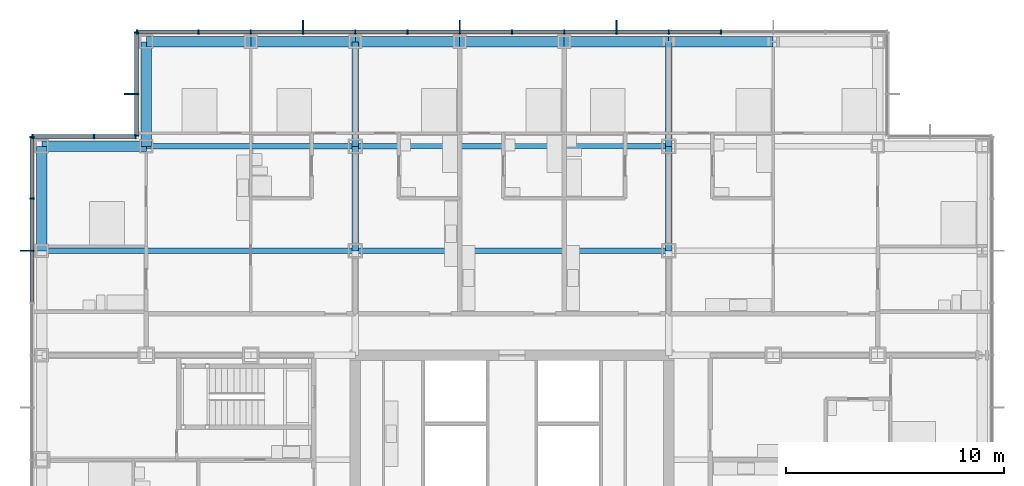
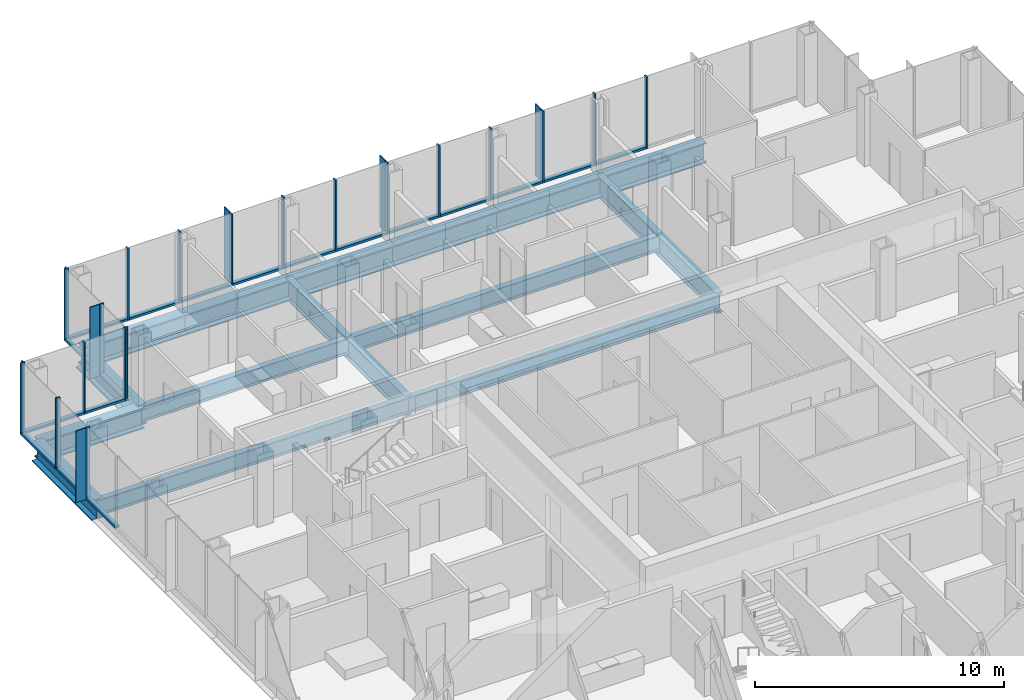
# One storey, part 10 of 21: 44 members, 17 beams, 4 elements without a shape of their own.
"""IFC4 building model written with IfcOpenShell, lengths in metres."""

import ifcopenshell
import ifcopenshell.guid

model = None  # the IFC model being written
_history = None  # IfcOwnerHistory: only IFC2X3 demands one
_inside = {}  # id of a spatial element -> (the spatial element, [elements in it])
_under = {}  # id of a project, library or spatial element -> (it, [spatial elements below it])
_declared = {}  # id of a project -> (the project, [libraries it declares])
_typed = {}  # id of a type object -> (the type object, [elements of that type])
_made_of = {}  # id of a material, layer set ... -> (it, [elements and type objects made of it])


def new_model(schema):
    """Start an empty IFC model of exactly this schema.

    Asked for "IFC4X3", IfcOpenShell would pick the latest addendum, in which some entities
    have other attributes; the version numbers below select the first issue.
    IFC2X3 requires an IfcOwnerHistory on every rooted entity: one is made here for all.
    """
    global model, _history
    if schema == "IFC4X3":
        model = ifcopenshell.file(schema_version=(4, 3, 0, 0))
    else:
        model = ifcopenshell.file(schema=schema)
    _inside.clear()
    _under.clear()
    _declared.clear()
    _typed.clear()
    _made_of.clear()
    _history = None
    if model.schema == "IFC2X3":
        org = make("IfcOrganization", Name="unknown")
        user = make(
            "IfcPersonAndOrganization",
            ThePerson=make("IfcPerson", FamilyName="unknown"),
            TheOrganization=org,
        )
        app = make(
            "IfcApplication",
            ApplicationDeveloper=org,
            Version="unknown",
            ApplicationFullName="unknown",
            ApplicationIdentifier="unknown",
        )
        _history = make(
            "IfcOwnerHistory",
            OwningUser=user,
            OwningApplication=app,
            ChangeAction="ADDED",
            CreationDate=0,
        )
    return model


def make(cls, **values):
    """One entity of the class cls with the attributes given. An attribute that is None is left unset."""
    return model.create_entity(
        cls, **{name: value for name, value in values.items() if value is not None}
    )


def rooted(cls, **values):
    """An entity with a GlobalId (a new one), such as an element, a storey or a relation."""
    return make(cls, GlobalId=ifcopenshell.guid.new(), OwnerHistory=_history, **values)


def si_unit(unit_type, name, prefix=None):
    """IfcSIUnit, for example si_unit("LENGTHUNIT", "METRE", prefix="MILLI")."""
    return make("IfcSIUnit", UnitType=unit_type, Prefix=prefix, Name=name)


def assignment(units):
    """IfcUnitAssignment: the units of a project."""
    return None if units is None else make("IfcUnitAssignment", Units=units)


def point(xyz):
    """IfcCartesianPoint."""
    return None if xyz is None else make("IfcCartesianPoint", Coordinates=xyz)


def direction(xyz):
    """IfcDirection."""
    return None if xyz is None else make("IfcDirection", DirectionRatios=xyz)


def frame(location, z_axis=None, x_axis=None):
    """IfcAxis2Placement3D, a coordinate frame: its origin and axes. An axis left out is left unset."""
    return make(
        "IfcAxis2Placement3D",
        Location=point(location),
        Axis=direction(z_axis),
        RefDirection=direction(x_axis),
    )


def frame_2d(location, x_axis=None):
    """IfcAxis2Placement2D, a coordinate frame in the plane: its origin and x axis."""
    return make(
        "IfcAxis2Placement2D", Location=point(location), RefDirection=direction(x_axis)
    )


def origin():
    """The frame at (0, 0, 0) with its axes left unset."""
    return frame((0.0, 0.0, 0.0))


def origin_2d():
    """The frame at (0, 0) in the plane with its x axis left unset."""
    return frame_2d((0.0, 0.0))


def place(relative_to, where):
    """IfcLocalPlacement: puts the frame where relative to a parent placement (None: the world)."""
    return make(
        "IfcLocalPlacement", PlacementRelTo=relative_to, RelativePlacement=where
    )


def context(
    kind, dimensions, precision=None, world=None, true_north=None, identifier=None
):
    """IfcGeometricRepresentationContext, for example the 3D "Model" context."""
    return make(
        "IfcGeometricRepresentationContext",
        ContextIdentifier=identifier,
        ContextType=kind,
        CoordinateSpaceDimension=dimensions,
        Precision=precision,
        WorldCoordinateSystem=world,
        TrueNorth=true_north,
    )


def subcontext(parent, identifier, kind, view, scale=None):
    """IfcGeometricRepresentationSubContext, for example "Body" below "Model"."""
    return make(
        "IfcGeometricRepresentationSubContext",
        ContextIdentifier=identifier,
        ContextType=kind,
        ParentContext=parent,
        TargetScale=scale,
        TargetView=view,
    )


def project(units=None, contexts=None):
    """IfcProject with its units and contexts."""
    return rooted(
        "IfcProject",
        Name="project",
        RepresentationContexts=contexts,
        UnitsInContext=assignment(units),
    )


def spatial(cls, under=None, at=None, **own):
    """A site, building, storey or space (cls), placed at a placement, below another one or the project."""
    s = rooted(cls, ObjectPlacement=at, **own)
    if under is not None:
        _under.setdefault(under.id(), (under, []))[1].append(s)
    return s


def profile(cls, at=None, kind="AREA", **sizes):
    """A parametric profile (cls). Its sizes go by their IFC names, for example OverallWidth=200.0."""
    return make(cls, ProfileType=kind, Position=at, **sizes)


def rectangle(**sizes):
    """IfcRectangleProfileDef."""
    return profile("IfcRectangleProfileDef", **sizes)


def i_section(**sizes):
    """IfcIShapeProfileDef."""
    return profile("IfcIShapeProfileDef", **sizes)


def extrude(swept, where, along, depth):
    """IfcExtrudedAreaSolid: the profile swept, set in the frame where, extruded along a direction by depth."""
    return make(
        "IfcExtrudedAreaSolid",
        SweptArea=swept,
        Position=where,
        ExtrudedDirection=direction(along),
        Depth=depth,
    )


def shape(context_of_items, identifier, shape_type, items):
    """IfcShapeRepresentation: the items that make up one representation, for example the "Body"."""
    return make(
        "IfcShapeRepresentation",
        ContextOfItems=context_of_items,
        RepresentationIdentifier=identifier,
        RepresentationType=shape_type,
        Items=items,
    )


def material(Name=None, Category=None):
    """IfcMaterial."""
    return make("IfcMaterial", Name=Name, Category=Category)


def material_profile(
    of_material, cross_section, Name=None, Category=None, Priority=None
):
    """IfcMaterialProfile: a cross section and its material."""
    return make(
        "IfcMaterialProfile",
        Name=Name,
        Material=of_material,
        Profile=cross_section,
        Priority=Priority,
        Category=Category,
    )


def profile_set(profiles, Name=None, composite=None):
    """IfcMaterialProfileSet."""
    return make(
        "IfcMaterialProfileSet",
        Name=Name,
        MaterialProfiles=profiles,
        CompositeProfile=composite,
    )


def made_of(thing, what):
    """Note that an element or type object is made of a material, layer set ...; save() writes the relation."""
    if what is not None:
        _made_of.setdefault(what.id(), (what, []))[1].append(thing)
    return thing


def type_object(cls, material=None, **own):
    """A type object (cls), such as IfcWallType, which elements share."""
    return made_of(rooted(cls, **own), material)


def element(
    cls,
    number,
    at=None,
    inside=None,
    cuts=None,
    type_object=None,
    material=None,
    context=None,
    identifier="Body",
    shape_type=None,
    held_by="IfcProductDefinitionShape",
    body=None,
    shapes=None,
    **own,
):
    """One element of the class cls, such as IfcWall. Its Tag is "e" and its number.

    at: its placement. inside: the storey or other place that contains it. cuts: it is an
    opening in that element (IfcRelVoidsElement). A single representation is given by context,
    identifier, shape_type and body (its items); several are given by shapes. held_by: the class
    of the entity that holds the representations. save() writes the other relations.
    """
    e = rooted(cls, Tag="e%d" % number, ObjectPlacement=at, **own)
    if body is not None:
        shapes = [shape(context, identifier, shape_type, body)]
    if shapes is not None:
        e.Representation = make(held_by, Representations=shapes)
    if inside is not None:
        _inside.setdefault(inside.id(), (inside, []))[1].append(e)
    if cuts is not None:
        rooted(
            "IfcRelVoidsElement", RelatingBuildingElement=cuts, RelatedOpeningElement=e
        )
    if type_object is not None:
        _typed.setdefault(type_object.id(), (type_object, []))[1].append(e)
    return made_of(e, material)


def aggregate(whole, parts):
    """IfcRelAggregates: a whole, such as a stair, and the parts it consists of."""
    return rooted("IfcRelAggregates", RelatingObject=whole, RelatedObjects=parts)


def save(model, path):
    """Write the relations noted so far, then the file.

    IfcRelAggregates (storeys below a building ...), IfcRelContainedInSpatialStructure (elements
    in a storey), IfcRelDefinesByType, IfcRelAssociatesMaterial and IfcRelDeclares: one each for
    every whole, place, type object, material and project.
    """
    for whole, parts in _under.values():
        aggregate(whole, parts)
    for where, things in _inside.values():
        rooted(
            "IfcRelContainedInSpatialStructure",
            RelatedElements=things,
            RelatingStructure=where,
        )
    for kind, things in _typed.values():
        rooted("IfcRelDefinesByType", RelatedObjects=things, RelatingType=kind)
    for what, things in _made_of.values():
        rooted("IfcRelAssociatesMaterial", RelatedObjects=things, RelatingMaterial=what)
    for by, libraries in _declared.values():
        rooted("IfcRelDeclares", RelatingContext=by, RelatedDefinitions=libraries)
    model.write(path)


model = new_model("IFC4")

# Units and contexts
model_context = context("Model", 3, precision=1e-05, world=origin(), true_north=direction((0.0, 1.0)))
body_context = subcontext(model_context, "Body", "Model", "MODEL_VIEW")
ifc_project = project(units=[si_unit("LENGTHUNIT", "METRE"), si_unit("AREAUNIT", "SQUARE_METRE"), si_unit("VOLUMEUNIT", "CUBIC_METRE"), si_unit("PLANEANGLEUNIT", "RADIAN"), si_unit("MASSUNIT", "GRAM", prefix="KILO")], contexts=[model_context])

# Site, building, storey
site_placement = place(None, origin())
site = spatial("IfcSite", under=ifc_project, at=site_placement, CompositionType="ELEMENT")
building_placement = place(site_placement, origin())
building = spatial("IfcBuilding", under=site, at=building_placement, Name="Kvirike Care Tower", CompositionType="ELEMENT")
storey_placement = place(building_placement, frame((0.0, 0.0, 51.5)))
storey = spatial("IfcBuildingStorey", under=building, at=storey_placement, Name="L13", CompositionType="ELEMENT", Elevation=51.5)

# Curtain wall, member
ifc_material_1 = material(Name="Anodised aluminium stick system", Category="aluminium")
curtain_wall_type = type_object("IfcCurtainWallType", Name="CW-A STICK CURTAIN WALL", PredefinedType="NOTDEFINED", material=ifc_material_1)
curtain_wall_1_placement = place(storey_placement, origin())
curtain_wall_1 = element("IfcCurtainWall", 1, at=curtain_wall_1_placement, inside=storey, type_object=curtain_wall_type, Name="Curtain wall L13 face 1", PredefinedType="NOTDEFINED")
ifc_material_2 = material(Name="Bronze anodised aluminium fin", Category="aluminium")
ifc_material_profile_1 = material_profile(ifc_material_2, rectangle(XDim=0.050048828125, YDim=0.449951171875, at=origin_2d()), Name="BRONZE FIN 450")
ifc_profile_set_1 = profile_set([ifc_material_profile_1], Name="Bronze anodised aluminium fin")
member_type_1 = type_object("IfcMemberType", Name="BRONZE FIN 450", PredefinedType="USERDEFINED", material=ifc_profile_set_1)
member_1_placement = place(storey_placement, frame((-0.77490234375, 48.0, 0.0), z_axis=(0.0, 0.0, 1.0), x_axis=(0.0, -1.0, 0.0)))
member_1 = element("IfcMember", 2, at=member_1_placement, type_object=member_type_1, Name="Bronze fin L13 face 1.3", ObjectType="FIN", PredefinedType="USERDEFINED", context=body_context, shape_type="SweptSolid", body=[
    extrude(rectangle(XDim=0.050048828125, YDim=0.449951171875, at=origin_2d()), origin(), (0.0, 0.0, 1.0), 3.5),
])

# Curtain wall, members
curtain_wall_2_placement = place(storey_placement, origin())
curtain_wall_2 = element("IfcCurtainWall", 3, at=curtain_wall_2_placement, inside=storey, type_object=curtain_wall_type, Name="Curtain wall L13 face 10", PredefinedType="NOTDEFINED")
member_2_placement = place(storey_placement, frame((26.39990234375, 58.375, 0.0), z_axis=(0.0, 0.0, 1.0), x_axis=(-1.0, 0.0, 0.0)))
member_2 = element("IfcMember", 4, at=member_2_placement, type_object=member_type_1, Name="Bronze fin L13 face 10.6", ObjectType="FIN", PredefinedType="USERDEFINED", context=body_context, shape_type="SweptSolid", body=[
    extrude(rectangle(XDim=0.050048828125, YDim=0.449951171875, at=origin_2d()), origin(), (0.0, 0.0, 1.0), 3.5),
])
member_3_placement = place(storey_placement, frame((19.199951171875, 58.375, 0.0), z_axis=(0.0, 0.0, 1.0), x_axis=(-1.0, 0.0, 0.0)))
member_3 = element("IfcMember", 5, at=member_3_placement, type_object=member_type_1, Name="Bronze fin L13 face 10.9", ObjectType="FIN", PredefinedType="USERDEFINED", context=body_context, shape_type="SweptSolid", body=[
    extrude(rectangle(XDim=0.050048828125, YDim=0.449951171875, at=origin_2d()), origin(), (0.0, 0.0, 1.0), 3.5),
])
member_4_placement = place(storey_placement, frame((12.0, 58.375, 0.0), z_axis=(0.0, 0.0, 1.0), x_axis=(-1.0, 0.0, 0.0)))
member_4 = element("IfcMember", 6, at=member_4_placement, type_object=member_type_1, Name="Bronze fin L13 face 10.12", ObjectType="FIN", PredefinedType="USERDEFINED", context=body_context, shape_type="SweptSolid", body=[
    extrude(rectangle(XDim=0.050048828125, YDim=0.449951171875, at=origin_2d()), origin(), (0.0, 0.0, 1.0), 3.5),
])

# Curtain wall, member
curtain_wall_3_placement = place(storey_placement, origin())
curtain_wall_3 = element("IfcCurtainWall", 7, at=curtain_wall_3_placement, inside=storey, type_object=curtain_wall_type, Name="Curtain wall L13 face 11", PredefinedType="NOTDEFINED")
member_5_placement = place(storey_placement, frame((4.02490234375, 55.199951171875, 0.0), z_axis=(0.0, 0.0, 1.0), x_axis=(0.0, -1.0, 0.0)))
member_5 = element("IfcMember", 8, at=member_5_placement, type_object=member_type_1, Name="Bronze fin L13 face 11.2", ObjectType="FIN", PredefinedType="USERDEFINED", context=body_context, shape_type="SweptSolid", body=[
    extrude(rectangle(XDim=0.050048828125, YDim=0.449951171875, at=origin_2d()), origin(), (0.0, 0.0, 1.0), 3.5),
])

# Member
ifc_material_3 = material(Name="Bronze anodised aluminium mullion", Category="aluminium")
ifc_material_profile_2 = material_profile(ifc_material_3, rectangle(XDim=0.06494140625, YDim=0.199951171875, at=origin_2d()), Name="CW-A MULLION 65x200")
ifc_profile_set_2 = profile_set([ifc_material_profile_2], Name="Bronze anodised aluminium mullion")
member_type_2 = type_object("IfcMemberType", Name="CW-A MULLION 65x200", PredefinedType="MULLION", material=ifc_profile_set_2)
member_6_placement = place(storey_placement, frame((-0.449951171875, 53.217529296875, 0.0), z_axis=(0.0, 0.0, 1.0), x_axis=(0.0, -1.0, 0.0)))
member_6 = element("IfcMember", 9, at=member_6_placement, type_object=member_type_2, Name="CW-A mullion L13 face 1.1", PredefinedType="MULLION", context=body_context, shape_type="SweptSolid", body=[
    extrude(rectangle(XDim=0.06494140625, YDim=0.199951171875, at=origin_2d()), origin(), (0.0, 0.0, 1.0), 3.5),
])

member_7_placement = place(storey_placement, frame((-0.449951171875, 50.39990234375, 0.0), z_axis=(0.0, 0.0, 1.0), x_axis=(0.0, -1.0, 0.0)))
member_7 = element("IfcMember", 10, at=member_7_placement, type_object=member_type_2, Name="CW-A mullion L13 face 1.2", PredefinedType="MULLION", context=body_context, shape_type="SweptSolid", body=[
    extrude(rectangle(XDim=0.06494140625, YDim=0.199951171875, at=origin_2d()), origin(), (0.0, 0.0, 1.0), 3.5),
])

member_8_placement = place(storey_placement, frame((-0.449951171875, 48.0, 0.0), z_axis=(0.0, 0.0, 1.0), x_axis=(0.0, -1.0, 0.0)))
member_8 = element("IfcMember", 11, at=member_8_placement, type_object=member_type_2, Name="CW-A mullion L13 face 1.3", PredefinedType="MULLION", context=body_context, shape_type="SweptSolid", body=[
    extrude(rectangle(XDim=0.06494140625, YDim=0.199951171875, at=origin_2d()), origin(), (0.0, 0.0, 1.0), 3.5),
])

member_9_placement = place(storey_placement, frame((31.199951171875, 58.050048828125, 0.0), z_axis=(0.0, 0.0, 1.0), x_axis=(-1.0, 0.0, 0.0)))
member_9 = element("IfcMember", 12, at=member_9_placement, type_object=member_type_2, Name="CW-A mullion L13 face 10.4", PredefinedType="MULLION", context=body_context, shape_type="SweptSolid", body=[
    extrude(rectangle(XDim=0.06494140625, YDim=0.199951171875, at=origin_2d()), origin(), (0.0, 0.0, 1.0), 3.5),
])

member_10_placement = place(storey_placement, frame((28.800048828125, 58.050048828125, 0.0), z_axis=(0.0, 0.0, 1.0), x_axis=(-1.0, 0.0, 0.0)))
member_10 = element("IfcMember", 13, at=member_10_placement, type_object=member_type_2, Name="CW-A mullion L13 face 10.5", PredefinedType="MULLION", context=body_context, shape_type="SweptSolid", body=[
    extrude(rectangle(XDim=0.06494140625, YDim=0.199951171875, at=origin_2d()), origin(), (0.0, 0.0, 1.0), 3.5),
])

member_11_placement = place(storey_placement, frame((26.39990234375, 58.050048828125, 0.0), z_axis=(0.0, 0.0, 1.0), x_axis=(-1.0, 0.0, 0.0)))
member_11 = element("IfcMember", 14, at=member_11_placement, type_object=member_type_2, Name="CW-A mullion L13 face 10.6", PredefinedType="MULLION", context=body_context, shape_type="SweptSolid", body=[
    extrude(rectangle(XDim=0.06494140625, YDim=0.199951171875, at=origin_2d()), origin(), (0.0, 0.0, 1.0), 3.5),
])

member_12_placement = place(storey_placement, frame((24.0, 58.050048828125, 0.0), z_axis=(0.0, 0.0, 1.0), x_axis=(-1.0, 0.0, 0.0)))
member_12 = element("IfcMember", 15, at=member_12_placement, type_object=member_type_2, Name="CW-A mullion L13 face 10.7", PredefinedType="MULLION", context=body_context, shape_type="SweptSolid", body=[
    extrude(rectangle(XDim=0.06494140625, YDim=0.199951171875, at=origin_2d()), origin(), (0.0, 0.0, 1.0), 3.5),
])

member_13_placement = place(storey_placement, frame((21.60009765625, 58.050048828125, 0.0), z_axis=(0.0, 0.0, 1.0), x_axis=(-1.0, 0.0, 0.0)))
member_13 = element("IfcMember", 16, at=member_13_placement, type_object=member_type_2, Name="CW-A mullion L13 face 10.8", PredefinedType="MULLION", context=body_context, shape_type="SweptSolid", body=[
    extrude(rectangle(XDim=0.06494140625, YDim=0.199951171875, at=origin_2d()), origin(), (0.0, 0.0, 1.0), 3.5),
])

member_14_placement = place(storey_placement, frame((19.199951171875, 58.050048828125, 0.0), z_axis=(0.0, 0.0, 1.0), x_axis=(-1.0, 0.0, 0.0)))
member_14 = element("IfcMember", 17, at=member_14_placement, type_object=member_type_2, Name="CW-A mullion L13 face 10.9", PredefinedType="MULLION", context=body_context, shape_type="SweptSolid", body=[
    extrude(rectangle(XDim=0.06494140625, YDim=0.199951171875, at=origin_2d()), origin(), (0.0, 0.0, 1.0), 3.5),
])

member_15_placement = place(storey_placement, frame((16.800048828125, 58.050048828125, 0.0), z_axis=(0.0, 0.0, 1.0), x_axis=(-1.0, 0.0, 0.0)))
member_15 = element("IfcMember", 18, at=member_15_placement, type_object=member_type_2, Name="CW-A mullion L13 face 10.10", PredefinedType="MULLION", context=body_context, shape_type="SweptSolid", body=[
    extrude(rectangle(XDim=0.06494140625, YDim=0.199951171875, at=origin_2d()), origin(), (0.0, 0.0, 1.0), 3.5),
])

member_16_placement = place(storey_placement, frame((14.39990234375, 58.050048828125, 0.0), z_axis=(0.0, 0.0, 1.0), x_axis=(-1.0, 0.0, 0.0)))
member_16 = element("IfcMember", 19, at=member_16_placement, type_object=member_type_2, Name="CW-A mullion L13 face 10.11", PredefinedType="MULLION", context=body_context, shape_type="SweptSolid", body=[
    extrude(rectangle(XDim=0.06494140625, YDim=0.199951171875, at=origin_2d()), origin(), (0.0, 0.0, 1.0), 3.5),
])

member_17_placement = place(storey_placement, frame((12.0, 58.050048828125, 0.0), z_axis=(0.0, 0.0, 1.0), x_axis=(-1.0, 0.0, 0.0)))
member_17 = element("IfcMember", 20, at=member_17_placement, type_object=member_type_2, Name="CW-A mullion L13 face 10.12", PredefinedType="MULLION", context=body_context, shape_type="SweptSolid", body=[
    extrude(rectangle(XDim=0.06494140625, YDim=0.199951171875, at=origin_2d()), origin(), (0.0, 0.0, 1.0), 3.5),
])

member_18_placement = place(storey_placement, frame((9.60009765625, 58.050048828125, 0.0), z_axis=(0.0, 0.0, 1.0), x_axis=(-1.0, 0.0, 0.0)))
member_18 = element("IfcMember", 21, at=member_18_placement, type_object=member_type_2, Name="CW-A mullion L13 face 10.13", PredefinedType="MULLION", context=body_context, shape_type="SweptSolid", body=[
    extrude(rectangle(XDim=0.06494140625, YDim=0.199951171875, at=origin_2d()), origin(), (0.0, 0.0, 1.0), 3.5),
])

member_19_placement = place(storey_placement, frame((7.199951171875, 58.050048828125, 0.0), z_axis=(0.0, 0.0, 1.0), x_axis=(-1.0, 0.0, 0.0)))
member_19 = element("IfcMember", 22, at=member_19_placement, type_object=member_type_2, Name="CW-A mullion L13 face 10.14", PredefinedType="MULLION", context=body_context, shape_type="SweptSolid", body=[
    extrude(rectangle(XDim=0.06494140625, YDim=0.199951171875, at=origin_2d()), origin(), (0.0, 0.0, 1.0), 3.5),
])

member_20_placement = place(storey_placement, frame((4.382568359375, 58.050048828125, 0.0), z_axis=(0.0, 0.0, 1.0), x_axis=(-1.0, 0.0, 0.0)))
member_20 = element("IfcMember", 23, at=member_20_placement, type_object=member_type_2, Name="CW-A mullion L13 face 10.15", PredefinedType="MULLION", context=body_context, shape_type="SweptSolid", body=[
    extrude(rectangle(XDim=0.06494140625, YDim=0.199951171875, at=origin_2d()), origin(), (0.0, 0.0, 1.0), 3.5),
])

member_21_placement = place(storey_placement, frame((4.35009765625, 58.017578125, 0.0), z_axis=(0.0, 0.0, 1.0), x_axis=(0.0, -1.0, 0.0)))
member_21 = element("IfcMember", 24, at=member_21_placement, type_object=member_type_2, Name="CW-A mullion L13 face 11.1", PredefinedType="MULLION", context=body_context, shape_type="SweptSolid", body=[
    extrude(rectangle(XDim=0.06494140625, YDim=0.199951171875, at=origin_2d()), origin(), (0.0, 0.0, 1.0), 3.5),
])

member_22_placement = place(storey_placement, frame((4.35009765625, 55.199951171875, 0.0), z_axis=(0.0, 0.0, 1.0), x_axis=(0.0, -1.0, 0.0)))
member_22 = element("IfcMember", 25, at=member_22_placement, type_object=member_type_2, Name="CW-A mullion L13 face 11.2", PredefinedType="MULLION", context=body_context, shape_type="SweptSolid", body=[
    extrude(rectangle(XDim=0.06494140625, YDim=0.199951171875, at=origin_2d()), origin(), (0.0, 0.0, 1.0), 3.5),
])

member_23_placement = place(storey_placement, frame((4.35009765625, 53.282470703125, 0.0), z_axis=(0.0, 0.0, 1.0), x_axis=(0.0, -1.0, 0.0)))
member_23 = element("IfcMember", 26, at=member_23_placement, type_object=member_type_2, Name="CW-A mullion L13 face 11.3", PredefinedType="MULLION", context=body_context, shape_type="SweptSolid", body=[
    extrude(rectangle(XDim=0.06494140625, YDim=0.199951171875, at=origin_2d()), origin(), (0.0, 0.0, 1.0), 3.5),
])

# Curtain wall, members
curtain_wall_4_placement = place(storey_placement, origin())
curtain_wall_4 = element("IfcCurtainWall", 27, at=curtain_wall_4_placement, inside=storey, type_object=curtain_wall_type, Name="Curtain wall L13 face 12", PredefinedType="NOTDEFINED")
member_24_placement = place(storey_placement, frame((4.3173828125, 53.25, 0.0), z_axis=(0.0, 0.0, 1.0), x_axis=(-1.0, 0.0, 0.0)))
member_24 = element("IfcMember", 28, at=member_24_placement, type_object=member_type_2, Name="CW-A mullion L13 face 12.1", PredefinedType="MULLION", context=body_context, shape_type="SweptSolid", body=[
    extrude(rectangle(XDim=0.06494140625, YDim=0.199951171875, at=origin_2d()), origin(), (0.0, 0.0, 1.0), 3.5),
])
member_25_placement = place(storey_placement, frame((2.39990234375, 53.25, 0.0), z_axis=(0.0, 0.0, 1.0), x_axis=(-1.0, 0.0, 0.0)))
member_25 = element("IfcMember", 29, at=member_25_placement, type_object=member_type_2, Name="CW-A mullion L13 face 12.2", PredefinedType="MULLION", context=body_context, shape_type="SweptSolid", body=[
    extrude(rectangle(XDim=0.06494140625, YDim=0.199951171875, at=origin_2d()), origin(), (0.0, 0.0, 1.0), 3.5),
])
member_26_placement = place(storey_placement, frame((-0.41748046875, 53.25, 0.0), z_axis=(0.0, 0.0, 1.0), x_axis=(-1.0, 0.0, 0.0)))
member_26 = element("IfcMember", 30, at=member_26_placement, type_object=member_type_2, Name="CW-A mullion L13 face 12.3", PredefinedType="MULLION", context=body_context, shape_type="SweptSolid", body=[
    extrude(rectangle(XDim=0.06494140625, YDim=0.199951171875, at=origin_2d()), origin(), (0.0, 0.0, 1.0), 3.5),
])

# Member
ifc_material_4 = material(Name="Bronze anodised aluminium transom", Category="aluminium")
ifc_material_profile_3 = material_profile(ifc_material_4, rectangle(XDim=0.199951171875, YDim=0.10009765625, at=origin_2d()), Name="CW-A TRANSOM 200x100")
ifc_profile_set_3 = profile_set([ifc_material_profile_3], Name="Bronze anodised aluminium transom")
member_type_3 = type_object("IfcMemberType", Name="CW-A TRANSOM 200x100", PredefinedType="USERDEFINED", material=ifc_profile_set_3)
member_27_placement = place(storey_placement, frame((-0.449951171875, 53.18505859375, 0.050048828125), z_axis=(0.0, -1.0, 0.0), x_axis=(1.0, 0.0, 0.0)))
member_27 = element("IfcMember", 31, at=member_27_placement, type_object=member_type_3, Name="CW-A sill transom L13 face 1.1", ObjectType="TRANSOM", PredefinedType="USERDEFINED", context=body_context, shape_type="SweptSolid", body=[
    extrude(rectangle(XDim=0.199951171875, YDim=0.10009765625, at=origin_2d()), origin(), (0.0, 0.0, 1.0), 2.75244140625),
])

member_28_placement = place(storey_placement, frame((-0.449951171875, 50.367431640625, 0.050048828125), z_axis=(0.0, -1.0, 0.0), x_axis=(1.0, 0.0, 0.0)))
member_28 = element("IfcMember", 32, at=member_28_placement, type_object=member_type_3, Name="CW-A sill transom L13 face 1.2", ObjectType="TRANSOM", PredefinedType="USERDEFINED", context=body_context, shape_type="SweptSolid", body=[
    extrude(rectangle(XDim=0.199951171875, YDim=0.10009765625, at=origin_2d()), origin(), (0.0, 0.0, 1.0), 2.3349609375),
])

member_29_placement = place(storey_placement, frame((-0.449951171875, 47.967529296875, 0.050048828125), z_axis=(0.0, -1.0, 0.0), x_axis=(1.0, 0.0, 0.0)))
member_29 = element("IfcMember", 33, at=member_29_placement, type_object=member_type_3, Name="CW-A sill transom L13 face 1.3", ObjectType="TRANSOM", PredefinedType="USERDEFINED", context=body_context, shape_type="SweptSolid", body=[
    extrude(rectangle(XDim=0.199951171875, YDim=0.10009765625, at=origin_2d()), origin(), (0.0, 0.0, 1.0), 2.3349609375),
])

aggregate(curtain_wall_1, [member_6, member_7, member_8, member_1, member_27, member_28, member_29])

member_30_placement = place(storey_placement, frame((31.16748046875, 58.050048828125, 0.050048828125), z_axis=(-1.0, 0.0, 0.0), x_axis=(0.0, -1.0, 0.0)))
member_30 = element("IfcMember", 34, at=member_30_placement, type_object=member_type_3, Name="CW-A sill transom L13 face 10.4", ObjectType="TRANSOM", PredefinedType="USERDEFINED", context=body_context, shape_type="SweptSolid", body=[
    extrude(rectangle(XDim=0.199951171875, YDim=0.10009765625, at=origin_2d()), origin(), (0.0, 0.0, 1.0), 2.3349609375),
])

member_31_placement = place(storey_placement, frame((28.767578125, 58.050048828125, 0.050048828125), z_axis=(-1.0, 0.0, 0.0), x_axis=(0.0, -1.0, 0.0)))
member_31 = element("IfcMember", 35, at=member_31_placement, type_object=member_type_3, Name="CW-A sill transom L13 face 10.5", ObjectType="TRANSOM", PredefinedType="USERDEFINED", context=body_context, shape_type="SweptSolid", body=[
    extrude(rectangle(XDim=0.199951171875, YDim=0.10009765625, at=origin_2d()), origin(), (0.0, 0.0, 1.0), 2.3349609375),
])

member_32_placement = place(storey_placement, frame((26.367431640625, 58.050048828125, 0.050048828125), z_axis=(-1.0, 0.0, 0.0), x_axis=(0.0, -1.0, 0.0)))
member_32 = element("IfcMember", 36, at=member_32_placement, type_object=member_type_3, Name="CW-A sill transom L13 face 10.6", ObjectType="TRANSOM", PredefinedType="USERDEFINED", context=body_context, shape_type="SweptSolid", body=[
    extrude(rectangle(XDim=0.199951171875, YDim=0.10009765625, at=origin_2d()), origin(), (0.0, 0.0, 1.0), 2.3349609375),
])

member_33_placement = place(storey_placement, frame((23.967529296875, 58.050048828125, 0.050048828125), z_axis=(-1.0, 0.0, 0.0), x_axis=(0.0, -1.0, 0.0)))
member_33 = element("IfcMember", 37, at=member_33_placement, type_object=member_type_3, Name="CW-A sill transom L13 face 10.7", ObjectType="TRANSOM", PredefinedType="USERDEFINED", context=body_context, shape_type="SweptSolid", body=[
    extrude(rectangle(XDim=0.199951171875, YDim=0.10009765625, at=origin_2d()), origin(), (0.0, 0.0, 1.0), 2.3349609375),
])

member_34_placement = place(storey_placement, frame((21.5673828125, 58.050048828125, 0.050048828125), z_axis=(-1.0, 0.0, 0.0), x_axis=(0.0, -1.0, 0.0)))
member_34 = element("IfcMember", 38, at=member_34_placement, type_object=member_type_3, Name="CW-A sill transom L13 face 10.8", ObjectType="TRANSOM", PredefinedType="USERDEFINED", context=body_context, shape_type="SweptSolid", body=[
    extrude(rectangle(XDim=0.199951171875, YDim=0.10009765625, at=origin_2d()), origin(), (0.0, 0.0, 1.0), 2.3349609375),
])

member_35_placement = place(storey_placement, frame((19.16748046875, 58.050048828125, 0.050048828125), z_axis=(-1.0, 0.0, 0.0), x_axis=(0.0, -1.0, 0.0)))
member_35 = element("IfcMember", 39, at=member_35_placement, type_object=member_type_3, Name="CW-A sill transom L13 face 10.9", ObjectType="TRANSOM", PredefinedType="USERDEFINED", context=body_context, shape_type="SweptSolid", body=[
    extrude(rectangle(XDim=0.199951171875, YDim=0.10009765625, at=origin_2d()), origin(), (0.0, 0.0, 1.0), 2.3349609375),
])

member_36_placement = place(storey_placement, frame((16.767578125, 58.050048828125, 0.050048828125), z_axis=(-1.0, 0.0, 0.0), x_axis=(0.0, -1.0, 0.0)))
member_36 = element("IfcMember", 40, at=member_36_placement, type_object=member_type_3, Name="CW-A sill transom L13 face 10.10", ObjectType="TRANSOM", PredefinedType="USERDEFINED", context=body_context, shape_type="SweptSolid", body=[
    extrude(rectangle(XDim=0.199951171875, YDim=0.10009765625, at=origin_2d()), origin(), (0.0, 0.0, 1.0), 2.3349609375),
])

member_37_placement = place(storey_placement, frame((14.367431640625, 58.050048828125, 0.050048828125), z_axis=(-1.0, 0.0, 0.0), x_axis=(0.0, -1.0, 0.0)))
member_37 = element("IfcMember", 41, at=member_37_placement, type_object=member_type_3, Name="CW-A sill transom L13 face 10.11", ObjectType="TRANSOM", PredefinedType="USERDEFINED", context=body_context, shape_type="SweptSolid", body=[
    extrude(rectangle(XDim=0.199951171875, YDim=0.10009765625, at=origin_2d()), origin(), (0.0, 0.0, 1.0), 2.3349609375),
])

member_38_placement = place(storey_placement, frame((11.967529296875, 58.050048828125, 0.050048828125), z_axis=(-1.0, 0.0, 0.0), x_axis=(0.0, -1.0, 0.0)))
member_38 = element("IfcMember", 42, at=member_38_placement, type_object=member_type_3, Name="CW-A sill transom L13 face 10.12", ObjectType="TRANSOM", PredefinedType="USERDEFINED", context=body_context, shape_type="SweptSolid", body=[
    extrude(rectangle(XDim=0.199951171875, YDim=0.10009765625, at=origin_2d()), origin(), (0.0, 0.0, 1.0), 2.3349609375),
])

member_39_placement = place(storey_placement, frame((9.5673828125, 58.050048828125, 0.050048828125), z_axis=(-1.0, 0.0, 0.0), x_axis=(0.0, -1.0, 0.0)))
member_39 = element("IfcMember", 43, at=member_39_placement, type_object=member_type_3, Name="CW-A sill transom L13 face 10.13", ObjectType="TRANSOM", PredefinedType="USERDEFINED", context=body_context, shape_type="SweptSolid", body=[
    extrude(rectangle(XDim=0.199951171875, YDim=0.10009765625, at=origin_2d()), origin(), (0.0, 0.0, 1.0), 2.3349609375),
])

member_40_placement = place(storey_placement, frame((7.16748046875, 58.050048828125, 0.050048828125), z_axis=(-1.0, 0.0, 0.0), x_axis=(0.0, -1.0, 0.0)))
member_40 = element("IfcMember", 44, at=member_40_placement, type_object=member_type_3, Name="CW-A sill transom L13 face 10.14", ObjectType="TRANSOM", PredefinedType="USERDEFINED", context=body_context, shape_type="SweptSolid", body=[
    extrude(rectangle(XDim=0.199951171875, YDim=0.10009765625, at=origin_2d()), origin(), (0.0, 0.0, 1.0), 2.75244140625),
])

aggregate(curtain_wall_2, [member_9, member_10, member_11, member_2, member_12, member_13, member_14, member_3, member_15, member_16, member_17, member_4, member_18, member_19, member_20, member_30, member_31, member_32, member_33, member_34, member_35, member_36, member_37, member_38, member_39, member_40])

member_41_placement = place(storey_placement, frame((4.35009765625, 57.985107421875, 0.050048828125), z_axis=(0.0, -1.0, 0.0), x_axis=(1.0, 0.0, 0.0)))
member_41 = element("IfcMember", 45, at=member_41_placement, type_object=member_type_3, Name="CW-A sill transom L13 face 11.1", ObjectType="TRANSOM", PredefinedType="USERDEFINED", context=body_context, shape_type="SweptSolid", body=[
    extrude(rectangle(XDim=0.199951171875, YDim=0.10009765625, at=origin_2d()), origin(), (0.0, 0.0, 1.0), 2.752685546875),
])

member_42_placement = place(storey_placement, frame((4.35009765625, 55.16748046875, 0.050048828125), z_axis=(0.0, -1.0, 0.0), x_axis=(1.0, 0.0, 0.0)))
member_42 = element("IfcMember", 46, at=member_42_placement, type_object=member_type_3, Name="CW-A sill transom L13 face 11.2", ObjectType="TRANSOM", PredefinedType="USERDEFINED", context=body_context, shape_type="SweptSolid", body=[
    extrude(rectangle(XDim=0.199951171875, YDim=0.10009765625, at=origin_2d()), origin(), (0.0, 0.0, 1.0), 1.8525390625),
])

aggregate(curtain_wall_3, [member_21, member_22, member_5, member_23, member_41, member_42])

member_43_placement = place(storey_placement, frame((4.284912109375, 53.25, 0.050048828125), z_axis=(-1.0, 0.0, 0.0), x_axis=(0.0, -1.0, 0.0)))
member_43 = element("IfcMember", 47, at=member_43_placement, type_object=member_type_3, Name="CW-A sill transom L13 face 12.1", ObjectType="TRANSOM", PredefinedType="USERDEFINED", context=body_context, shape_type="SweptSolid", body=[
    extrude(rectangle(XDim=0.199951171875, YDim=0.10009765625, at=origin_2d()), origin(), (0.0, 0.0, 1.0), 1.852294921875),
])

member_44_placement = place(storey_placement, frame((2.367431640625, 53.25, 0.050048828125), z_axis=(-1.0, 0.0, 0.0), x_axis=(0.0, -1.0, 0.0)))
member_44 = element("IfcMember", 48, at=member_44_placement, type_object=member_type_3, Name="CW-A sill transom L13 face 12.2", ObjectType="TRANSOM", PredefinedType="USERDEFINED", context=body_context, shape_type="SweptSolid", body=[
    extrude(rectangle(XDim=0.199951171875, YDim=0.10009765625, at=origin_2d()), origin(), (0.0, 0.0, 1.0), 2.75244140625),
])

aggregate(curtain_wall_4, [member_24, member_25, member_26, member_43, member_44])

# Beams
ifc_material_5 = material(Name="Steel S355", Category="steel")
ifc_material_profile_4 = material_profile(ifc_material_5, i_section(OverallWidth=0.26806640625, OverallDepth=0.77001953125, WebThickness=0.015625, FlangeThickness=0.025390625, FilletRadius=0.01708984375, at=origin_2d()), Name="IPE 750x196")
ifc_profile_set_4 = profile_set([ifc_material_profile_4], Name="Steel S355")
beam_type_1 = type_object("IfcBeamType", Name="FLOOR BEAM IPE 750x196", PredefinedType="BEAM", material=ifc_profile_set_4)
beam_1_placement = place(storey_placement, frame((0.0, 48.0, -0.554931640625), z_axis=(1.0, 0.0, 0.0), x_axis=(0.0, 1.0, 0.0)))
element("IfcBeam", 49, at=beam_1_placement, inside=storey, type_object=beam_type_1, Name="Floor Beam L3-L6 L13", PredefinedType="BEAM", context=body_context, shape_type="SweptSolid", body=[
    extrude(i_section(OverallWidth=0.26806640625, OverallDepth=0.77001953125, WebThickness=0.015625, FlangeThickness=0.025390625, FilletRadius=0.01708984375, at=origin_2d()), origin(), (0.0, 0.0, 1.0), 14.39990234375),
])
beam_2_placement = place(storey_placement, frame((14.39990234375, 48.0, -0.554931640625), z_axis=(1.0, 0.0, 0.0), x_axis=(0.0, 1.0, 0.0)))
element("IfcBeam", 50, at=beam_2_placement, inside=storey, type_object=beam_type_1, Name="Floor Beam L6-L9 L13", PredefinedType="BEAM", context=body_context, shape_type="SweptSolid", body=[
    extrude(i_section(OverallWidth=0.26806640625, OverallDepth=0.77001953125, WebThickness=0.015625, FlangeThickness=0.025390625, FilletRadius=0.01708984375, at=origin_2d()), origin(), (0.0, 0.0, 1.0), 14.400146484375),
])
beam_3_placement = place(storey_placement, frame((4.800048828125, 52.800048828125, -0.554931640625), z_axis=(1.0, 0.0, 0.0), x_axis=(0.0, 1.0, 0.0)))
element("IfcBeam", 51, at=beam_3_placement, inside=storey, type_object=beam_type_1, Name="Floor Beam M4-M6 L13", PredefinedType="BEAM", context=body_context, shape_type="SweptSolid", body=[
    extrude(i_section(OverallWidth=0.26806640625, OverallDepth=0.77001953125, WebThickness=0.015625, FlangeThickness=0.025390625, FilletRadius=0.01708984375, at=origin_2d()), origin(), (0.0, 0.0, 1.0), 9.599853515625),
])
beam_4_placement = place(storey_placement, frame((14.39990234375, 52.800048828125, -0.554931640625), z_axis=(1.0, 0.0, 0.0), x_axis=(0.0, 1.0, 0.0)))
element("IfcBeam", 52, at=beam_4_placement, inside=storey, type_object=beam_type_1, Name="Floor Beam M6-M9 L13", PredefinedType="BEAM", context=body_context, shape_type="SweptSolid", body=[
    extrude(i_section(OverallWidth=0.26806640625, OverallDepth=0.77001953125, WebThickness=0.015625, FlangeThickness=0.025390625, FilletRadius=0.01708984375, at=origin_2d()), origin(), (0.0, 0.0, 1.0), 14.400146484375),
])
ifc_material_6 = material(Name="Steel S355", Category="steel")
ifc_material_profile_5 = material_profile(ifc_material_6, i_section(OverallWidth=0.300048828125, OverallDepth=1.0, WebThickness=0.01904296875, FlangeThickness=0.035888671875, FilletRadius=0.030029296875, at=origin_2d()), Name="HE 1000 B")
ifc_profile_set_5 = profile_set([ifc_material_profile_5], Name="Steel S355")
beam_type_2 = type_object("IfcBeamType", Name="FRAME BEAM HE 1000 B", PredefinedType="BEAM", material=ifc_profile_set_5)
for number, where, z_axis, x_axis, name in (
    (53, (14.39990234375, 48.0, -0.669921875), (0.0, 1.0, 0.0), (-1.0, 0.0, 0.0), "Frame Beam L6-M6 L13"),
    (54, (14.39990234375, 52.800048828125, -0.669921875), (0.0, 1.0, 0.0), (-1.0, 0.0, 0.0), "Frame Beam M6-N6 L13"),
    (55, (28.800048828125, 48.0, -0.669921875), (0.0, 1.0, 0.0), (-1.0, 0.0, 0.0), "Frame Beam L9-M9 L13"),
    (56, (28.800048828125, 52.800048828125, -0.669921875), (0.0, 1.0, 0.0), (-1.0, 0.0, 0.0), "Frame Beam M9-N9 L13"),
):
    element("IfcBeam", number, at=place(storey_placement, frame(where, z_axis=z_axis, x_axis=x_axis)), inside=storey, type_object=beam_type_2, Name=name, PredefinedType="BEAM", context=body_context, shape_type="SweptSolid", body=[
        extrude(i_section(OverallWidth=0.300048828125, OverallDepth=1.0, WebThickness=0.01904296875, FlangeThickness=0.035888671875, FilletRadius=0.030029296875, at=origin_2d()), origin(), (0.0, 0.0, 1.0), 4.800048828125),
    ])
ifc_material_7 = material(Name="Steel S355", Category="steel")
ifc_material_profile_6 = material_profile(ifc_material_7, i_section(OverallWidth=0.5, OverallDepth=1.0, WebThickness=0.030029296875, FlangeThickness=0.06005859375, at=origin_2d()), Name="PG 1000x500x30x60")
ifc_profile_set_6 = profile_set([ifc_material_profile_6], Name="Steel S355")
beam_type_3 = type_object("IfcBeamType", Name="SPANDREL PG 1000x500x30x60", PredefinedType="SPANDREL", material=ifc_profile_set_6)
for number, where, z_axis, x_axis, name in (
    (57, (0.0, 52.800048828125, -0.669921875), (1.0, 0.0, 0.0), (0.0, 1.0, 0.0), "Spandrel M3-M4 L13"),
    (58, (4.800048828125, 57.60009765625, -0.669921875), (1.0, 0.0, 0.0), (0.0, 1.0, 0.0), "Spandrel N4-N5 L13"),
):
    element("IfcBeam", number, at=place(storey_placement, frame(where, z_axis=z_axis, x_axis=x_axis)), inside=storey, type_object=beam_type_3, Name=name, PredefinedType="SPANDREL", context=body_context, shape_type="SweptSolid", body=[
        extrude(i_section(OverallWidth=0.5, OverallDepth=1.0, WebThickness=0.030029296875, FlangeThickness=0.06005859375, at=origin_2d()), origin(), (0.0, 0.0, 1.0), 4.800048828125),
    ])
beam_5_placement = place(storey_placement, frame((9.60009765625, 57.60009765625, -0.669921875), z_axis=(1.0, 0.0, 0.0), x_axis=(0.0, 1.0, 0.0)))
element("IfcBeam", 59, at=beam_5_placement, inside=storey, type_object=beam_type_3, Name="Spandrel N5-N6 L13", PredefinedType="SPANDREL", context=body_context, shape_type="SweptSolid", body=[
    extrude(i_section(OverallWidth=0.5, OverallDepth=1.0, WebThickness=0.030029296875, FlangeThickness=0.06005859375, at=origin_2d()), origin(), (0.0, 0.0, 1.0), 4.7998046875),
])
for number, where, z_axis, x_axis, name in (
    (60, (14.39990234375, 57.60009765625, -0.669921875), (1.0, 0.0, 0.0), (0.0, 1.0, 0.0), "Spandrel N6-N7 L13"),
    (61, (19.199951171875, 57.60009765625, -0.669921875), (1.0, 0.0, 0.0), (0.0, 1.0, 0.0), "Spandrel N7-N8 L13"),
    (62, (24.0, 57.60009765625, -0.669921875), (1.0, 0.0, 0.0), (0.0, 1.0, 0.0), "Spandrel N8-N9 L13"),
    (63, (28.800048828125, 57.60009765625, -0.669921875), (1.0, 0.0, 0.0), (0.0, 1.0, 0.0), "Spandrel N9-N10 L13"),
    (64, (0.0, 48.0, -0.669921875), (0.0, 1.0, 0.0), (-1.0, 0.0, 0.0), "Spandrel L3-M3 L13"),
    (65, (4.800048828125, 52.800048828125, -0.669921875), (0.0, 1.0, 0.0), (-1.0, 0.0, 0.0), "Spandrel M4-N4 L13"),
):
    element("IfcBeam", number, at=place(storey_placement, frame(where, z_axis=z_axis, x_axis=x_axis)), inside=storey, type_object=beam_type_3, Name=name, PredefinedType="SPANDREL", context=body_context, shape_type="SweptSolid", body=[
        extrude(i_section(OverallWidth=0.5, OverallDepth=1.0, WebThickness=0.030029296875, FlangeThickness=0.06005859375, at=origin_2d()), origin(), (0.0, 0.0, 1.0), 4.800048828125),
    ])

save(model, "model.ifc")
